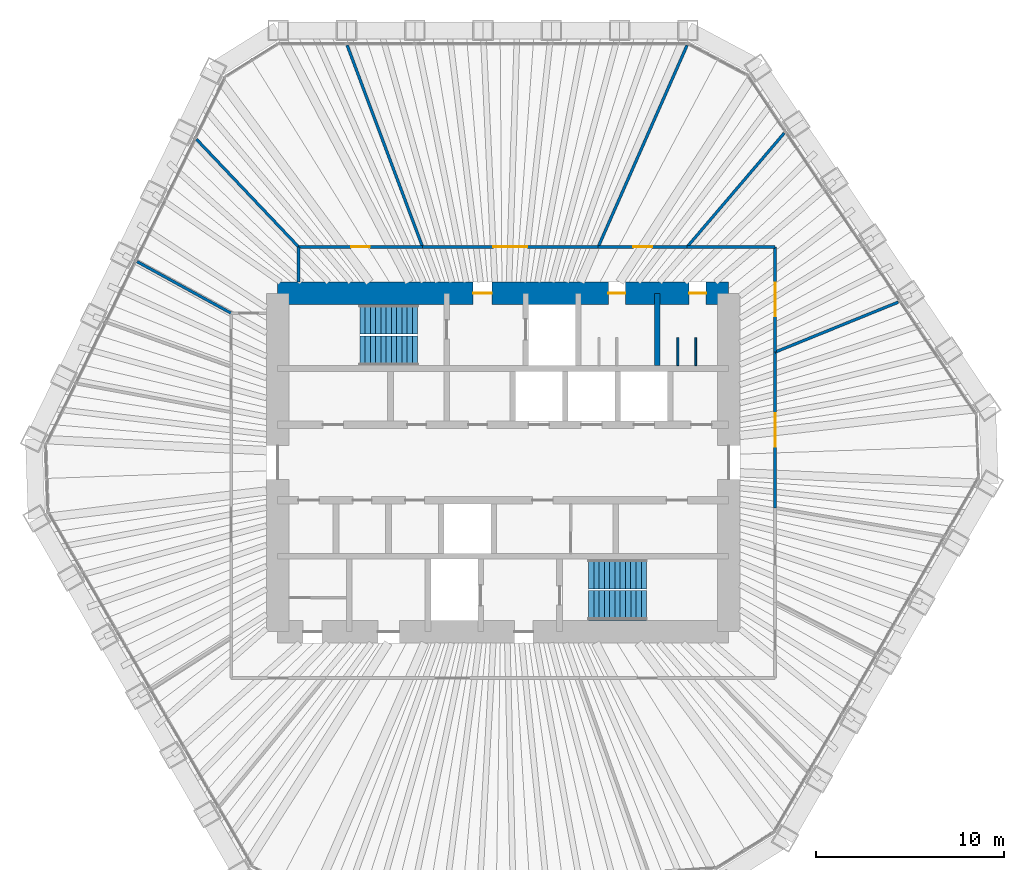
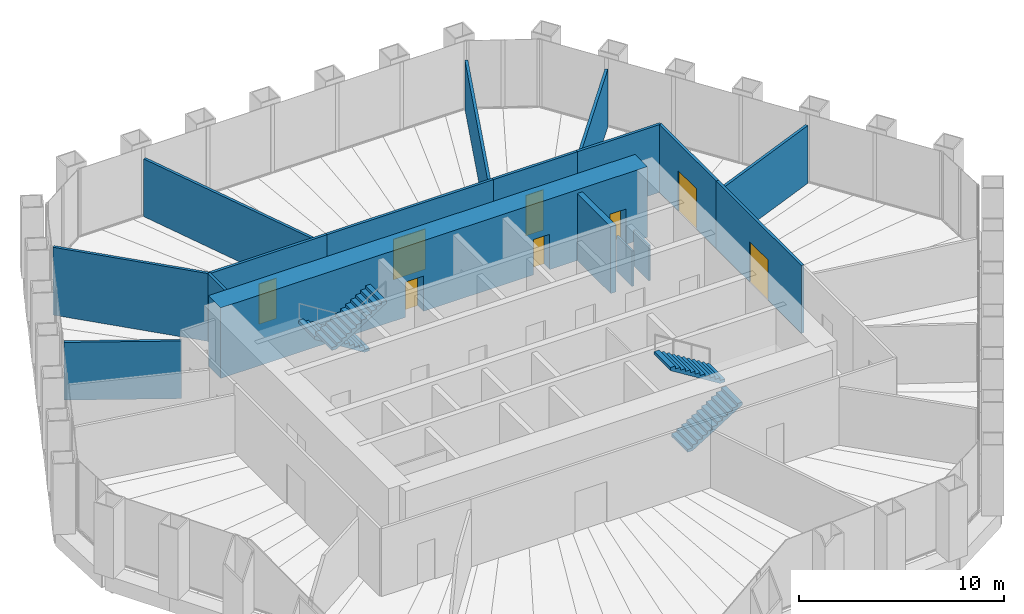
# One storey, part 12 of 13: 17 walls, 8 doors, 4 stair flights, 8 openings, 2 elements without a shape of their own.
"""IFC4 building model written with IfcOpenShell, lengths in metres."""

from ifc_helpers import new_model, si_unit, direction, frame, frame_2d, origin, place, context, subcontext, project, spatial, polyline, rectangle, outline, extrude, material, layer, layer_set, type_object, element, fill, aggregate, save


model = new_model("IFC4")

# Units and contexts
model_context = context("Model", 3, precision=1e-05, world=origin(), true_north=direction((0.0, 1.0)))
body_context = subcontext(model_context, "Body", "Model", "MODEL_VIEW")
ifc_project = project(units=[si_unit("LENGTHUNIT", "METRE"), si_unit("AREAUNIT", "SQUARE_METRE"), si_unit("VOLUMEUNIT", "CUBIC_METRE"), si_unit("PLANEANGLEUNIT", "RADIAN"), si_unit("MASSUNIT", "GRAM", prefix="KILO")], contexts=[model_context])

# Site, building, storey
site_placement = place(None, origin())
site = spatial("IfcSite", under=ifc_project, at=site_placement, CompositionType="ELEMENT")
building_placement = place(site_placement, origin())
building = spatial("IfcBuilding", under=site, at=building_placement, Name="Qingtian Harvest Tower", CompositionType="ELEMENT")
storey_placement = place(building_placement, frame((0.0, 0.0, 188.800048828125)))
storey = spatial("IfcBuildingStorey", under=building, at=storey_placement, Name="L40", CompositionType="ELEMENT", Elevation=188.800048828125)

# Wall
ifc_material_1 = material(Name="Precast concrete shaft panel", Category="concrete")
ifc_layer_1 = layer(ifc_material_1, 0.300048828125)
ifc_layer_set_1 = layer_set([ifc_layer_1], Name="Core shaft partition SW1 300")
wall_type_1 = type_object("IfcWallType", Name="Core shaft partition SW1 300", PredefinedType="PARTITIONING", material=ifc_layer_set_1)
wall_1_placement = place(storey_placement, frame((8.199951171875, 5.14990234375, 0.0), z_axis=(0.0, 0.0, 1.0), x_axis=(0.0, 1.0, 0.0)))
element("IfcWall", 1, at=wall_1_placement, inside=storey, type_object=wall_type_1, Name="Core shaft partition XN4 L40", PredefinedType="PARTITIONING", context=body_context, shape_type="SweptSolid", body=[
    extrude(rectangle(XDim=3.85009765625, YDim=0.300048828125, at=frame_2d((1.925048828125, 0.0))), origin(), (0.0, 0.0, 1.0), 3.97998046875),
])

# Wall, openings, doors
ifc_material_2 = material(Name="Concrete fc' 70 MPa", Category="concrete")
ifc_layer_2 = layer(ifc_material_2, 1.199951171875)
ifc_layer_set_2 = layer_set([ifc_layer_2], Name="Core wall RC2 1200")
wall_type_2 = type_object("IfcWallType", Name="Core wall RC2 1200", PredefinedType="SHEAR", material=ifc_layer_set_2)
wall_2_placement = place(storey_placement, frame((-12.0, 9.0, 0.0), z_axis=(0.0, 0.0, 1.0), x_axis=(1.0, 0.0, 0.0)))
wall_2 = element("IfcWall", 2, at=wall_2_placement, inside=storey, type_object=wall_type_2, Name="Core wall CN L40", PredefinedType="SHEAR", context=body_context, shape_type="SweptSolid", body=[
    extrude(rectangle(XDim=24.0, YDim=1.199951171875, at=frame_2d((12.0, 0.0))), origin(), (0.0, 0.0, 1.0), 4.199951171875),
])
opening_1_placement = place(wall_2_placement, frame((10.39990234375, 0.0, 0.0)))
opening_1 = element("IfcOpeningElement", 3, at=opening_1_placement, cuts=wall_2, Name="Opening FD1", PredefinedType="OPENING", context=body_context, shape_type="SweptSolid", body=[
    extrude(rectangle(XDim=1.0, YDim=2.10009765625, at=frame_2d((0.5, 1.050048828125))), frame((0.0, 0.60986328125, 0.0), z_axis=(0.0, -1.0, 0.0), x_axis=(1.0, 0.0, 0.0)), (0.0, 0.0, 1.0), 1.219970703125),
])
opening_2_placement = place(wall_2_placement, frame((17.60009765625, 0.0, 0.0)))
opening_2 = element("IfcOpeningElement", 4, at=opening_2_placement, cuts=wall_2, Name="Opening D1", PredefinedType="OPENING", context=body_context, shape_type="SweptSolid", body=[
    extrude(rectangle(XDim=0.89990234375, YDim=2.10009765625, at=frame_2d((0.449951171875, 1.050048828125))), frame((0.0, 0.60986328125, 0.0), z_axis=(0.0, -1.0, 0.0), x_axis=(1.0, 0.0, 0.0)), (0.0, 0.0, 1.0), 1.219970703125),
])
opening_3_placement = place(wall_2_placement, frame((21.89990234375, 0.0, 0.0)))
opening_3 = element("IfcOpeningElement", 5, at=opening_3_placement, cuts=wall_2, Name="Opening D1", PredefinedType="OPENING", context=body_context, shape_type="SweptSolid", body=[
    extrude(rectangle(XDim=0.89990234375, YDim=2.10009765625, at=frame_2d((0.449951171875, 1.050048828125))), frame((0.0, 0.60986328125, 0.0), z_axis=(0.0, -1.0, 0.0), x_axis=(1.0, 0.0, 0.0)), (0.0, 0.0, 1.0), 1.219970703125),
])
ifc_material_3 = material(Name="Steel-faced door leaf", Category="steel")
door_type_1 = type_object("IfcDoorType", Name="Fire door FD1 single 1 HR", OperationType="SINGLE_SWING_LEFT", PredefinedType="DOOR", material=ifc_material_3)
door_1_placement = place(opening_1_placement, origin())
door_1 = element("IfcDoor", 6, at=door_1_placement, inside=storey, type_object=door_type_1, Name="V1 door L40", OperationType="SINGLE_SWING_RIGHT", OverallHeight=2.10009765625, OverallWidth=1.0, PredefinedType="DOOR", context=body_context, shape_type="SweptSolid", body=[
    extrude(rectangle(XDim=1.0, YDim=2.10009765625, at=frame_2d((0.5, 1.050048828125))), frame((0.0, 0.02490234375, 0.0), z_axis=(0.0, -1.0, 0.0), x_axis=(1.0, 0.0, 0.0)), (0.0, 0.0, 1.0), 0.050048828125),
])
fill(opening_1, door_1)
ifc_material_4 = material(Name="Laminated timber door leaf", Category="wood")
door_type_2 = type_object("IfcDoorType", Name="Toilet door D1 single", OperationType="SINGLE_SWING_LEFT", PredefinedType="DOOR", material=ifc_material_4)
door_2_placement = place(opening_2_placement, origin())
door_2 = element("IfcDoor", 7, at=door_2_placement, inside=storey, type_object=door_type_2, Name="WCM door L40", OperationType="SINGLE_SWING_LEFT", OverallHeight=2.10009765625, OverallWidth=0.89990234375, PredefinedType="DOOR", context=body_context, shape_type="SweptSolid", body=[
    extrude(rectangle(XDim=0.89990234375, YDim=2.10009765625, at=frame_2d((0.449951171875, 1.050048828125))), frame((0.0, 0.02490234375, 0.0), z_axis=(0.0, -1.0, 0.0), x_axis=(1.0, 0.0, 0.0)), (0.0, 0.0, 1.0), 0.050048828125),
])
fill(opening_2, door_2)
door_3_placement = place(opening_3_placement, origin())
door_3 = element("IfcDoor", 8, at=door_3_placement, inside=storey, type_object=door_type_2, Name="WCF door L40", OperationType="SINGLE_SWING_LEFT", OverallHeight=2.10009765625, OverallWidth=0.89990234375, PredefinedType="DOOR", context=body_context, shape_type="SweptSolid", body=[
    extrude(rectangle(XDim=0.89990234375, YDim=2.10009765625, at=frame_2d((0.449951171875, 1.050048828125))), frame((0.0, 0.02490234375, 0.0), z_axis=(0.0, -1.0, 0.0), x_axis=(1.0, 0.0, 0.0)), (0.0, 0.0, 1.0), 0.050048828125),
])
fill(opening_3, door_3)

# Walls
ifc_material_5 = material(Name="Gypsum board on steel studs", Category="steel")
ifc_layer_3 = layer(ifc_material_5, 0.14990234375)
ifc_layer_set_3 = layer_set([ifc_layer_3], Name="Partition PT1 150")
wall_type_3 = type_object("IfcWallType", Name="Partition PT1 150", PredefinedType="PARTITIONING", material=ifc_layer_set_3)
wall_3_placement = place(storey_placement, frame((-19.48583984375, 10.6904296875, 0.0), z_axis=(0.0, 0.0, 1.0), x_axis=(0.876724089264, -0.480993629172, 0.0)))
element("IfcWall", 9, at=wall_3_placement, inside=storey, type_object=wall_type_3, Name="Huddle room wall L40", PredefinedType="PARTITIONING", context=body_context, shape_type="SweptSolid", body=[
    extrude(rectangle(XDim=5.71533203125, YDim=0.14990234375, at=frame_2d((2.857666015625, 0.0))), origin(), (0.0, 0.0, 1.0), 3.429931640625),
])
wall_4_placement = place(storey_placement, frame((-10.888671875, 9.60009765625, 0.0), z_axis=(0.0, 0.0, 1.0), x_axis=(0.0, 1.0, 0.0)))
element("IfcWall", 10, at=wall_4_placement, inside=storey, type_object=wall_type_3, Name="Huddle room wall L40", PredefinedType="PARTITIONING", context=body_context, shape_type="SweptSolid", body=[
    extrude(rectangle(XDim=1.875, YDim=0.14990234375, at=frame_2d((0.9375, 0.0))), origin(), (0.0, 0.0, 1.0), 4.030029296875),
])
wall_5_placement = place(storey_placement, frame((-16.31884765625, 17.19775390625, 0.0), z_axis=(0.0, 0.0, 1.0), x_axis=(0.688326413955, -0.725401094466, 0.0)))
element("IfcWall", 11, at=wall_5_placement, inside=storey, type_object=wall_type_3, Name="Meeting room wall L40", PredefinedType="PARTITIONING", context=body_context, shape_type="SweptSolid", body=[
    extrude(rectangle(XDim=7.888916015625, YDim=0.14990234375, at=frame_2d((3.9443359375, 0.0))), origin(), (0.0, 0.0, 1.0), 4.030029296875),
])

# Wall, opening, door
wall_6_placement = place(storey_placement, frame((-10.888671875, 11.47509765625, 0.0), z_axis=(0.0, 0.0, 1.0), x_axis=(1.0, 0.0, 0.0)))
wall_6 = element("IfcWall", 12, at=wall_6_placement, inside=storey, type_object=wall_type_3, Name="Meeting room wall L40", PredefinedType="PARTITIONING", context=body_context, shape_type="SweptSolid", body=[
    extrude(rectangle(XDim=6.597900390625, YDim=0.14990234375, at=frame_2d((3.298828125, 0.0))), origin(), (0.0, 0.0, 1.0), 4.030029296875),
])
opening_4_placement = place(wall_6_placement, frame((2.799072265625, 0.0, 0.0)))
opening_4 = element("IfcOpeningElement", 13, at=opening_4_placement, cuts=wall_6, Name="Opening D2", PredefinedType="OPENING", context=body_context, shape_type="SweptSolid", body=[
    extrude(rectangle(XDim=1.0, YDim=2.39990234375, at=frame_2d((0.5, 1.199951171875))), frame((0.0, 0.0849609375, 0.0), z_axis=(0.0, -1.0, 0.0), x_axis=(1.0, 0.0, 0.0)), (0.0, 0.0, 1.0), 0.169921875),
])
ifc_material_6 = material(Name="Laminated timber door leaf", Category="wood")
door_type_3 = type_object("IfcDoorType", Name="Room door D2 single", OperationType="SINGLE_SWING_LEFT", PredefinedType="DOOR", material=ifc_material_6)
door_4_placement = place(opening_4_placement, origin())
door_4 = element("IfcDoor", 14, at=door_4_placement, inside=storey, type_object=door_type_3, Name="Meeting room door L40", OperationType="SINGLE_SWING_LEFT", OverallHeight=2.39990234375, OverallWidth=1.0, PredefinedType="DOOR", context=body_context, shape_type="SweptSolid", body=[
    extrude(rectangle(XDim=1.0, YDim=2.39990234375, at=frame_2d((0.5, 1.199951171875))), frame((0.0, 0.02490234375, 0.0), z_axis=(0.0, -1.0, 0.0), x_axis=(1.0, 0.0, 0.0)), (0.0, 0.0, 1.0), 0.050048828125),
])
fill(opening_4, door_4)

# Wall
wall_7_placement = place(storey_placement, frame((-8.303466796875, 22.206298828125, 0.0), z_axis=(0.0, 0.0, 1.0), x_axis=(0.350242883069, -0.936658914899, 0.0)))
element("IfcWall", 15, at=wall_7_placement, inside=storey, type_object=wall_type_3, Name="Workplace zone wall L40", PredefinedType="PARTITIONING", context=body_context, shape_type="SweptSolid", body=[
    extrude(rectangle(XDim=11.456787109375, YDim=0.14990234375, at=frame_2d((5.728515625, 0.0))), origin(), (0.0, 0.0, 1.0), 3.429931640625),
])

# Wall, opening, door
wall_8_placement = place(storey_placement, frame((-4.290771484375, 11.47509765625, 0.0), z_axis=(0.0, 0.0, 1.0), x_axis=(1.0, 0.0, 0.0)))
wall_8 = element("IfcWall", 16, at=wall_8_placement, inside=storey, type_object=wall_type_3, Name="Workplace zone wall L40", PredefinedType="PARTITIONING", context=body_context, shape_type="SweptSolid", body=[
    extrude(rectangle(XDim=9.3486328125, YDim=0.14990234375, at=frame_2d((4.67431640625, 0.0))), origin(), (0.0, 0.0, 1.0), 4.030029296875),
])
opening_5_placement = place(wall_8_placement, frame((3.7744140625, 0.0, 0.0)))
opening_5 = element("IfcOpeningElement", 17, at=opening_5_placement, cuts=wall_8, Name="Opening D3", PredefinedType="OPENING", context=body_context, shape_type="SweptSolid", body=[
    extrude(rectangle(XDim=1.800048828125, YDim=2.39990234375, at=frame_2d((0.89990234375, 1.199951171875))), frame((0.0, 0.0849609375, 0.0), z_axis=(0.0, -1.0, 0.0), x_axis=(1.0, 0.0, 0.0)), (0.0, 0.0, 1.0), 0.169921875),
])
ifc_material_7 = material(Name="Laminated timber door leaf", Category="wood")
door_type_4 = type_object("IfcDoorType", Name="Room door D3 double", OperationType="DOUBLE_DOOR_DOUBLE_SWING", PredefinedType="DOOR", material=ifc_material_7)
door_5_placement = place(opening_5_placement, origin())
door_5 = element("IfcDoor", 18, at=door_5_placement, inside=storey, type_object=door_type_4, Name="Workplace zone door L40", OperationType="DOUBLE_DOOR_DOUBLE_SWING", OverallHeight=2.39990234375, OverallWidth=1.800048828125, PredefinedType="DOOR", context=body_context, shape_type="SweptSolid", body=[
    extrude(rectangle(XDim=1.800048828125, YDim=2.39990234375, at=frame_2d((0.89990234375, 1.199951171875))), frame((0.0, 0.02490234375, 0.0), z_axis=(0.0, -1.0, 0.0), x_axis=(1.0, 0.0, 0.0)), (0.0, 0.0, 1.0), 0.050048828125),
])
fill(opening_5, door_5)

# Wall
wall_9_placement = place(storey_placement, frame((9.7890625, 22.20849609375, 0.0), z_axis=(0.0, 0.0, 1.0), x_axis=(-0.403346052835, -0.9150475188, 0.0)))
element("IfcWall", 19, at=wall_9_placement, inside=storey, type_object=wall_type_3, Name="Store room wall L40", PredefinedType="PARTITIONING", context=body_context, shape_type="SweptSolid", body=[
    extrude(rectangle(XDim=11.72998046875, YDim=0.14990234375, at=frame_2d((5.864990234375, 0.0))), origin(), (0.0, 0.0, 1.0), 2.929931640625),
])

# Wall, opening, door
wall_10_placement = place(storey_placement, frame((5.057861328125, 11.47509765625, 0.0), z_axis=(0.0, 0.0, 1.0), x_axis=(1.0, 0.0, 0.0)))
wall_10 = element("IfcWall", 20, at=wall_10_placement, inside=storey, type_object=wall_type_3, Name="Store room wall L40", PredefinedType="PARTITIONING", context=body_context, shape_type="SweptSolid", body=[
    extrude(rectangle(XDim=4.733154296875, YDim=0.14990234375, at=frame_2d((2.36669921875, 0.0))), origin(), (0.0, 0.0, 1.0), 4.030029296875),
])
opening_6_placement = place(wall_10_placement, frame((1.86669921875, 0.0, 0.0)))
opening_6 = element("IfcOpeningElement", 21, at=opening_6_placement, cuts=wall_10, Name="Opening D2", PredefinedType="OPENING", context=body_context, shape_type="SweptSolid", body=[
    extrude(rectangle(XDim=1.0, YDim=2.39990234375, at=frame_2d((0.5, 1.199951171875))), frame((0.0, 0.0849609375, 0.0), z_axis=(0.0, -1.0, 0.0), x_axis=(1.0, 0.0, 0.0)), (0.0, 0.0, 1.0), 0.169921875),
])
door_6_placement = place(opening_6_placement, origin())
door_6 = element("IfcDoor", 22, at=door_6_placement, inside=storey, type_object=door_type_3, Name="Store room door L40", OperationType="SINGLE_SWING_RIGHT", OverallHeight=2.39990234375, OverallWidth=1.0, PredefinedType="DOOR", context=body_context, shape_type="SweptSolid", body=[
    extrude(rectangle(XDim=1.0, YDim=2.39990234375, at=frame_2d((0.5, 1.199951171875))), frame((0.0, 0.02490234375, 0.0), z_axis=(0.0, -1.0, 0.0), x_axis=(1.0, 0.0, 0.0)), (0.0, 0.0, 1.0), 0.050048828125),
])
fill(opening_6, door_6)

# Walls
wall_11_placement = place(storey_placement, frame((14.9580078125, 17.530517578125, 0.0), z_axis=(0.0, 0.0, 1.0), x_axis=(-0.649097500837, -0.760705221756, 0.0)))
element("IfcWall", 23, at=wall_11_placement, inside=storey, type_object=wall_type_3, Name="Meeting room wall L40", PredefinedType="PARTITIONING", context=body_context, shape_type="SweptSolid", body=[
    extrude(rectangle(XDim=7.960205078125, YDim=0.14990234375, at=frame_2d((3.97998046875, 0.0))), origin(), (0.0, 0.0, 1.0), 3.429931640625),
])
wall_12_placement = place(storey_placement, frame((9.791015625, 11.47509765625, 0.0), z_axis=(0.0, 0.0, 1.0), x_axis=(1.0, 0.0, 0.0)))
element("IfcWall", 24, at=wall_12_placement, inside=storey, type_object=wall_type_3, Name="Meeting room wall L40", PredefinedType="PARTITIONING", context=body_context, shape_type="SweptSolid", body=[
    extrude(rectangle(XDim=4.68408203125, YDim=0.14990234375, at=frame_2d((2.342041015625, 0.0))), origin(), (0.0, 0.0, 1.0), 4.030029296875),
])

# Wall, opening, door
wall_13_placement = place(storey_placement, frame((14.47509765625, 11.47509765625, 0.0), z_axis=(0.0, 0.0, 1.0), x_axis=(0.0, -1.0, 0.0)))
wall_13 = element("IfcWall", 25, at=wall_13_placement, inside=storey, type_object=wall_type_3, Name="Meeting room wall L40", PredefinedType="PARTITIONING", context=body_context, shape_type="SweptSolid", body=[
    extrude(rectangle(XDim=5.601318359375, YDim=0.14990234375, at=frame_2d((2.80078125, 0.0))), origin(), (0.0, 0.0, 1.0), 4.030029296875),
])
opening_7_placement = place(wall_13_placement, frame((1.900634765625, 0.0, 0.0)))
opening_7 = element("IfcOpeningElement", 26, at=opening_7_placement, cuts=wall_13, Name="Opening D3", PredefinedType="OPENING", context=body_context, shape_type="SweptSolid", body=[
    extrude(rectangle(XDim=1.800048828125, YDim=2.39990234375, at=frame_2d((0.89990234375, 1.199951171875))), frame((0.0, 0.0849609375, 0.0), z_axis=(0.0, -1.0, 0.0), x_axis=(1.0, 0.0, 0.0)), (0.0, 0.0, 1.0), 0.169921875),
])
door_7_placement = place(opening_7_placement, origin())
door_7 = element("IfcDoor", 27, at=door_7_placement, inside=storey, type_object=door_type_4, Name="Meeting room door L40", OperationType="DOUBLE_DOOR_DOUBLE_SWING", OverallHeight=2.39990234375, OverallWidth=1.800048828125, PredefinedType="DOOR", context=body_context, shape_type="SweptSolid", body=[
    extrude(rectangle(XDim=1.800048828125, YDim=2.39990234375, at=frame_2d((0.89990234375, 1.199951171875))), frame((0.0, 0.02490234375, 0.0), z_axis=(0.0, -1.0, 0.0), x_axis=(1.0, 0.0, 0.0)), (0.0, 0.0, 1.0), 0.050048828125),
])
fill(opening_7, door_7)

# Wall
wall_14_placement = place(storey_placement, frame((21.02587890625, 8.531982421875, 0.0), z_axis=(0.0, 0.0, 1.0), x_axis=(-0.926617028548, -0.376006492503, 0.0)))
element("IfcWall", 28, at=wall_14_placement, inside=storey, type_object=wall_type_3, Name="Workplace zone wall L40", PredefinedType="PARTITIONING", context=body_context, shape_type="SweptSolid", body=[
    extrude(rectangle(XDim=7.069580078125, YDim=0.14990234375, at=frame_2d((3.53466796875, 0.0))), origin(), (0.0, 0.0, 1.0), 3.429931640625),
])

# Wall, opening, door
wall_15_placement = place(storey_placement, frame((14.47509765625, 5.873779296875, 0.0), z_axis=(0.0, 0.0, 1.0), x_axis=(0.0, -1.0, 0.0)))
wall_15 = element("IfcWall", 29, at=wall_15_placement, inside=storey, type_object=wall_type_3, Name="Workplace zone wall L40", PredefinedType="PARTITIONING", context=body_context, shape_type="SweptSolid", body=[
    extrude(rectangle(XDim=8.295654296875, YDim=0.14990234375, at=frame_2d((4.14794921875, 0.0))), origin(), (0.0, 0.0, 1.0), 4.030029296875),
])
opening_8_placement = place(wall_15_placement, frame((3.247802734375, 0.0, 0.0)))
opening_8 = element("IfcOpeningElement", 30, at=opening_8_placement, cuts=wall_15, Name="Opening D3", PredefinedType="OPENING", context=body_context, shape_type="SweptSolid", body=[
    extrude(rectangle(XDim=1.800048828125, YDim=2.39990234375, at=frame_2d((0.89990234375, 1.199951171875))), frame((0.0, 0.0849609375, 0.0), z_axis=(0.0, -1.0, 0.0), x_axis=(1.0, 0.0, 0.0)), (0.0, 0.0, 1.0), 0.169921875),
])
door_8_placement = place(opening_8_placement, origin())
door_8 = element("IfcDoor", 31, at=door_8_placement, inside=storey, type_object=door_type_4, Name="Workplace zone door L40", OperationType="DOUBLE_DOOR_DOUBLE_SWING", OverallHeight=2.39990234375, OverallWidth=1.800048828125, PredefinedType="DOOR", context=body_context, shape_type="SweptSolid", body=[
    extrude(rectangle(XDim=1.800048828125, YDim=2.39990234375, at=frame_2d((0.89990234375, 1.199951171875))), frame((0.0, 0.02490234375, 0.0), z_axis=(0.0, -1.0, 0.0), x_axis=(1.0, 0.0, 0.0)), (0.0, 0.0, 1.0), 0.050048828125),
])
fill(opening_8, door_8)

# Walls
ifc_material_8 = material(Name="Compact laminate cubicle partition", Category="plastic")
ifc_layer_4 = layer(ifc_material_8, 0.10009765625)
ifc_layer_set_4 = layer_set([ifc_layer_4], Name="WC cubicle partition WP1 100")
wall_type_4 = type_object("IfcWallType", Name="WC cubicle partition WP1 100", PredefinedType="PARTITIONING", material=ifc_layer_set_4)
for number, where, z_axis, x_axis, name in (
    (32, (9.300048828125, 5.14990234375, 0.0), (0.0, 0.0, 1.0), (0.0, 1.0, 0.0), "WC cubicle partition WCF L40"),
    (33, (10.25, 5.14990234375, 0.0), (0.0, 0.0, 1.0), (0.0, 1.0, 0.0), "WC cubicle partition WCF L40"),
):
    element("IfcWall", number, at=place(storey_placement, frame(where, z_axis=z_axis, x_axis=x_axis)), inside=storey, type_object=wall_type_4, Name=name, PredefinedType="PARTITIONING", context=body_context, shape_type="SweptSolid", body=[
        extrude(rectangle(XDim=1.5, YDim=0.10009765625, at=frame_2d((0.75, 0.0))), origin(), (0.0, 0.0, 1.0), 2.099853515625),
    ])

# Stair, stair flights
ifc_material_9 = material(Name="Concrete fc' 35 MPa", Category="concrete")
stair_type = type_object("IfcStairType", Name="Special stair ST4 4200", PredefinedType="HALF_TURN_STAIR", material=ifc_material_9)
stair_1_placement = place(storey_placement, origin())
stair_1 = element("IfcStair", 34, at=stair_1_placement, inside=storey, type_object=stair_type, Name="Special stair S1 L40", PredefinedType="HALF_TURN_STAIR")
ifc_material_10 = material(Name="Concrete fc' 35 MPa", Category="concrete")
stair_flight_type = type_object("IfcStairFlightType", Name="Stair flight SF4 4200", PredefinedType="STRAIGHT", material=ifc_material_10)
stair_flight_1_placement = place(storey_placement, frame((-4.550048828125, 7.612548828125, 0.0), z_axis=(0.0, 0.0, 1.0), x_axis=(-1.0, 0.0, 0.0)))
stair_flight_1 = element("IfcStairFlight", 35, at=stair_flight_1_placement, type_object=stair_flight_type, Name="S1 flight 1", NumberOfRisers=12, NumberOfTreads=11, PredefinedType="STRAIGHT", RiserHeight=0.175, TreadLength=0.28, context=body_context, shape_type="SweptSolid", body=[
    extrude(outline(polyline([(0.0, 0.0), (0.0, 0.175048828125), (0.280029296875, 0.175048828125), (0.280029296875, 0.35009765625), (0.56005859375, 0.35009765625), (0.56005859375, 0.52490234375), (0.840087890625, 0.52490234375), (0.840087890625, 0.699951171875), (1.1201171875, 0.699951171875), (1.1201171875, 0.875), (1.39990234375, 0.875), (1.39990234375, 1.050048828125), (1.679931640625, 1.050048828125), (1.679931640625, 1.22509765625), (1.9599609375, 1.22509765625), (1.9599609375, 1.39990234375), (2.239990234375, 1.39990234375), (2.239990234375, 1.574951171875), (2.52001953125, 1.574951171875), (2.52001953125, 1.75), (2.800048828125, 1.75), (2.800048828125, 1.925048828125), (3.080078125, 1.925048828125), (3.080078125, 2.10009765625), (3.080078125, 1.748291015625), (0.28271484375, 0.0), (0.0, 0.0)])), frame((0.0, 0.78759765625, 0.0), z_axis=(0.0, -1.0, 0.0), x_axis=(1.0, 0.0, 0.0)), (0.0, 0.0, 1.0), 1.574951171875),
])
stair_flight_2_placement = place(storey_placement, frame((-7.6298828125, 5.9375, 2.099853515625), z_axis=(0.0, 0.0, 1.0), x_axis=(1.0, 0.0, 0.0)))
stair_flight_2 = element("IfcStairFlight", 36, at=stair_flight_2_placement, type_object=stair_flight_type, Name="S1 flight 2", NumberOfRisers=12, NumberOfTreads=11, PredefinedType="STRAIGHT", RiserHeight=0.175, TreadLength=0.28, context=body_context, shape_type="SweptSolid", body=[
    extrude(outline(polyline([(0.0, 0.0), (0.0, 0.175048828125), (0.280029296875, 0.175048828125), (0.280029296875, 0.35009765625), (0.56005859375, 0.35009765625), (0.56005859375, 0.52490234375), (0.840087890625, 0.52490234375), (0.840087890625, 0.699951171875), (1.1201171875, 0.699951171875), (1.1201171875, 0.875), (1.39990234375, 0.875), (1.39990234375, 1.050048828125), (1.679931640625, 1.050048828125), (1.679931640625, 1.22509765625), (1.9599609375, 1.22509765625), (1.9599609375, 1.39990234375), (2.239990234375, 1.39990234375), (2.239990234375, 1.574951171875), (2.52001953125, 1.574951171875), (2.52001953125, 1.75), (2.800048828125, 1.75), (2.800048828125, 1.925048828125), (3.080078125, 1.925048828125), (3.080078125, 2.10009765625), (3.080078125, 1.748291015625), (0.28271484375, 0.0), (0.0, 0.0)])), frame((0.0, 0.78759765625, 0.0), z_axis=(0.0, -1.0, 0.0), x_axis=(1.0, 0.0, 0.0)), (0.0, 0.0, 1.0), 1.574951171875),
])
aggregate(stair_1, [stair_flight_1, stair_flight_2])

stair_2_placement = place(storey_placement, origin())
stair_2 = element("IfcStair", 37, at=stair_2_placement, inside=storey, type_object=stair_type, Name="Special stair S2 L40", PredefinedType="HALF_TURN_STAIR")
stair_flight_3_placement = place(storey_placement, frame((4.550048828125, -7.612548828125, 0.0), z_axis=(0.0, 0.0, 1.0), x_axis=(1.0, 0.0, 0.0)))
stair_flight_3 = element("IfcStairFlight", 38, at=stair_flight_3_placement, type_object=stair_flight_type, Name="S2 flight 1", NumberOfRisers=12, NumberOfTreads=11, PredefinedType="STRAIGHT", RiserHeight=0.175, TreadLength=0.28, context=body_context, shape_type="SweptSolid", body=[
    extrude(outline(polyline([(0.0, 0.0), (0.0, 0.175048828125), (0.280029296875, 0.175048828125), (0.280029296875, 0.35009765625), (0.56005859375, 0.35009765625), (0.56005859375, 0.52490234375), (0.840087890625, 0.52490234375), (0.840087890625, 0.699951171875), (1.1201171875, 0.699951171875), (1.1201171875, 0.875), (1.39990234375, 0.875), (1.39990234375, 1.050048828125), (1.679931640625, 1.050048828125), (1.679931640625, 1.22509765625), (1.9599609375, 1.22509765625), (1.9599609375, 1.39990234375), (2.239990234375, 1.39990234375), (2.239990234375, 1.574951171875), (2.52001953125, 1.574951171875), (2.52001953125, 1.75), (2.800048828125, 1.75), (2.800048828125, 1.925048828125), (3.080078125, 1.925048828125), (3.080078125, 2.10009765625), (3.080078125, 1.748291015625), (0.28271484375, 0.0), (0.0, 0.0)])), frame((0.0, 0.78759765625, 0.0), z_axis=(0.0, -1.0, 0.0), x_axis=(1.0, 0.0, 0.0)), (0.0, 0.0, 1.0), 1.574951171875),
])
stair_flight_4_placement = place(storey_placement, frame((7.6298828125, -5.9375, 2.099853515625), z_axis=(0.0, 0.0, 1.0), x_axis=(-1.0, 0.0, 0.0)))
stair_flight_4 = element("IfcStairFlight", 39, at=stair_flight_4_placement, type_object=stair_flight_type, Name="S2 flight 2", NumberOfRisers=12, NumberOfTreads=11, PredefinedType="STRAIGHT", RiserHeight=0.175, TreadLength=0.28, context=body_context, shape_type="SweptSolid", body=[
    extrude(outline(polyline([(0.0, 0.0), (0.0, 0.175048828125), (0.280029296875, 0.175048828125), (0.280029296875, 0.35009765625), (0.56005859375, 0.35009765625), (0.56005859375, 0.52490234375), (0.840087890625, 0.52490234375), (0.840087890625, 0.699951171875), (1.1201171875, 0.699951171875), (1.1201171875, 0.875), (1.39990234375, 0.875), (1.39990234375, 1.050048828125), (1.679931640625, 1.050048828125), (1.679931640625, 1.22509765625), (1.9599609375, 1.22509765625), (1.9599609375, 1.39990234375), (2.239990234375, 1.39990234375), (2.239990234375, 1.574951171875), (2.52001953125, 1.574951171875), (2.52001953125, 1.75), (2.800048828125, 1.75), (2.800048828125, 1.925048828125), (3.080078125, 1.925048828125), (3.080078125, 2.10009765625), (3.080078125, 1.748291015625), (0.28271484375, 0.0), (0.0, 0.0)])), frame((0.0, 0.78759765625, 0.0), z_axis=(0.0, -1.0, 0.0), x_axis=(1.0, 0.0, 0.0)), (0.0, 0.0, 1.0), 1.574951171875),
])
aggregate(stair_2, [stair_flight_3, stair_flight_4])

save(model, "model.ifc")
